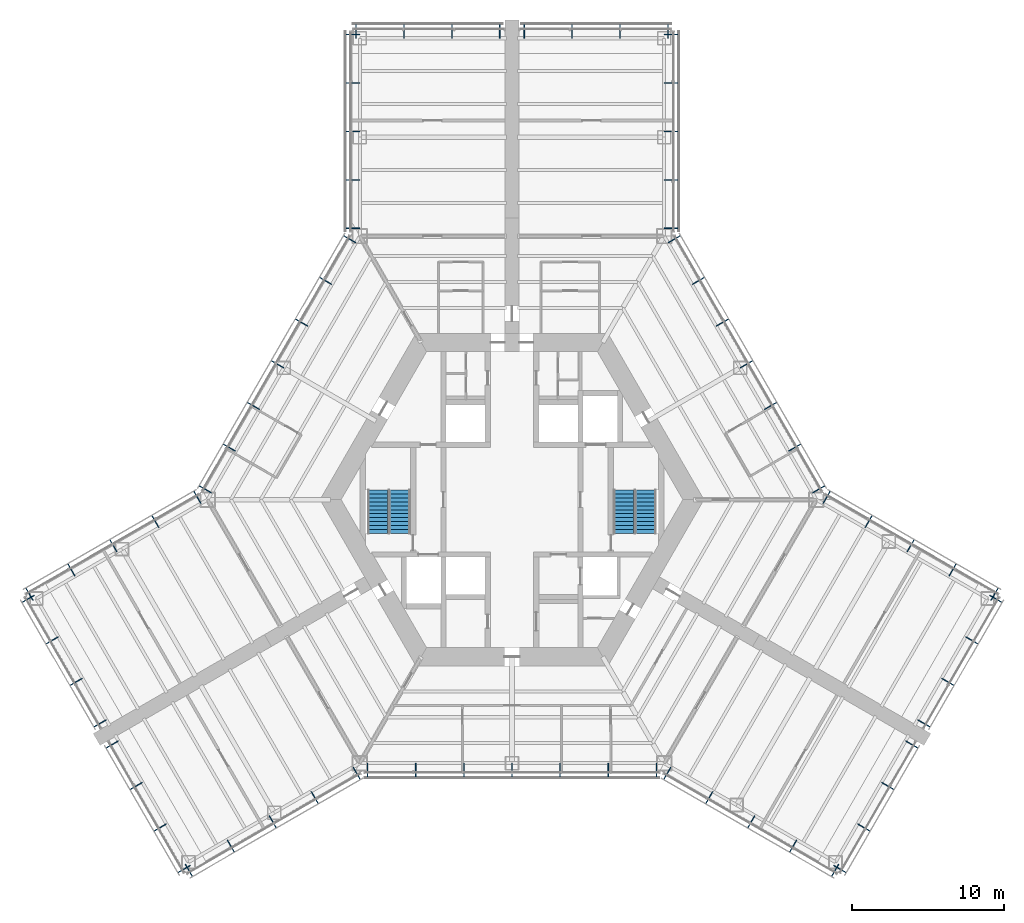
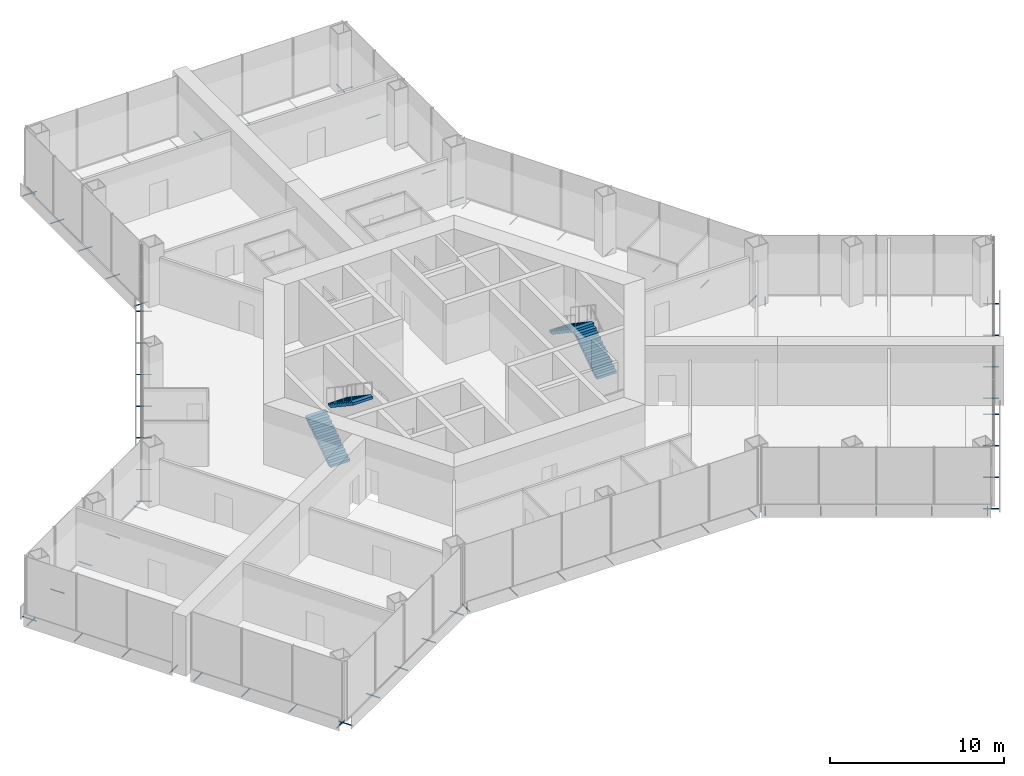
# One storey, part 14 of 16: 75 discrete accessories, 4 stair flights, 2 elements without a shape of their own.
"""IFC4 building model written with IfcOpenShell, lengths in metres."""

from ifc_helpers import new_model, si_unit, direction, frame, origin, origin_2d, place, context, subcontext, project, spatial, polyline, hollow_circle, outline, extrude, material, material_profile, profile_set, type_object, element, aggregate, save


model = new_model("IFC4")

# Units and contexts
model_context = context("Model", 3, precision=1e-05, world=origin(), true_north=direction((0.0, 1.0)))
body_context = subcontext(model_context, "Body", "Model", "MODEL_VIEW")
ifc_project = project(units=[si_unit("LENGTHUNIT", "METRE"), si_unit("AREAUNIT", "SQUARE_METRE"), si_unit("VOLUMEUNIT", "CUBIC_METRE"), si_unit("PLANEANGLEUNIT", "RADIAN"), si_unit("MASSUNIT", "GRAM", prefix="KILO")], contexts=[model_context])

# Site, building, storey
site_placement = place(None, origin())
site = spatial("IfcSite", under=ifc_project, at=site_placement, CompositionType="ELEMENT")
building_placement = place(site_placement, origin())
building = spatial("IfcBuilding", under=site, at=building_placement, Name="Kasaneha Research Tower", CompositionType="ELEMENT")
storey_placement = place(building_placement, frame((0.0, 0.0, 22.60009765625)))
storey = spatial("IfcBuildingStorey", under=building, at=storey_placement, Name="L06", CompositionType="ELEMENT", Elevation=22.60009765625)

# Stair, stair flights
ifc_material_1 = material(Name="Concrete Fc24", Category="concrete")
stair_type = type_object("IfcStairType", Name="Half-turn stair 24 risers", PredefinedType="HALF_TURN_STAIR", material=ifc_material_1)
stair_1_placement = place(storey_placement, origin())
stair_1 = element("IfcStair", 1, at=stair_1_placement, inside=storey, type_object=stair_type, Name="Stair 1 L06", PredefinedType="HALF_TURN_STAIR")
ifc_material_2 = material(Name="Concrete Fc24", Category="concrete")
stair_flight_type = type_object("IfcStairFlightType", Name="Stair flight 12 risers 175.0", PredefinedType="STRAIGHT", material=ifc_material_2)
stair_flight_1_placement = place(storey_placement, frame((8.824951171875, -2.22509765625, 0.0), z_axis=(0.0, 0.0, 1.0), x_axis=(0.0, 1.0, 0.0)))
stair_flight_1 = element("IfcStairFlight", 2, at=stair_flight_1_placement, type_object=stair_flight_type, Name="ST1-24R flight 1", NumberOfRisers=12, NumberOfTreads=11, PredefinedType="STRAIGHT", RiserHeight=0.175, TreadLength=0.26, context=body_context, shape_type="SweptSolid", body=[
    extrude(outline(polyline([(0.0, 0.0), (0.0, 0.175048828125), (0.260009765625, 0.175048828125), (0.260009765625, 0.35009765625), (0.52001953125, 0.35009765625), (0.52001953125, 0.52490234375), (0.780029296875, 0.52490234375), (0.780029296875, 0.699951171875), (1.0400390625, 0.699951171875), (1.0400390625, 0.875), (1.300048828125, 0.875), (1.300048828125, 1.050048828125), (1.56005859375, 1.050048828125), (1.56005859375, 1.22509765625), (1.820068359375, 1.22509765625), (1.820068359375, 1.39990234375), (2.080078125, 1.39990234375), (2.080078125, 1.574951171875), (2.340087890625, 1.574951171875), (2.340087890625, 1.75), (2.60009765625, 1.75), (2.60009765625, 1.925048828125), (2.860107421875, 1.925048828125), (2.860107421875, 2.10009765625), (2.860107421875, 1.744384765625), (0.2685546875, 0.0), (0.0, 0.0)])), frame((0.0, 0.64990234375, 0.0), z_axis=(0.0, -1.0, 0.0), x_axis=(1.0, 0.0, 0.0)), (0.0, 0.0, 1.0), 1.300048828125),
])
stair_flight_2_placement = place(storey_placement, frame((7.324951171875, 0.635009765625, 2.099853515625), z_axis=(0.0, 0.0, 1.0), x_axis=(0.0, -1.0, 0.0)))
stair_flight_2 = element("IfcStairFlight", 3, at=stair_flight_2_placement, type_object=stair_flight_type, Name="ST1-24R flight 2", NumberOfRisers=12, NumberOfTreads=11, PredefinedType="STRAIGHT", RiserHeight=0.175, TreadLength=0.26, context=body_context, shape_type="SweptSolid", body=[
    extrude(outline(polyline([(0.0, 0.0), (0.0, 0.175048828125), (0.260009765625, 0.175048828125), (0.260009765625, 0.35009765625), (0.52001953125, 0.35009765625), (0.52001953125, 0.52490234375), (0.780029296875, 0.52490234375), (0.780029296875, 0.699951171875), (1.0400390625, 0.699951171875), (1.0400390625, 0.875), (1.300048828125, 0.875), (1.300048828125, 1.050048828125), (1.56005859375, 1.050048828125), (1.56005859375, 1.22509765625), (1.820068359375, 1.22509765625), (1.820068359375, 1.39990234375), (2.080078125, 1.39990234375), (2.080078125, 1.574951171875), (2.340087890625, 1.574951171875), (2.340087890625, 1.75), (2.60009765625, 1.75), (2.60009765625, 1.925048828125), (2.860107421875, 1.925048828125), (2.860107421875, 2.10009765625), (2.860107421875, 1.744384765625), (0.2685546875, 0.0), (0.0, 0.0)])), frame((0.0, 0.64990234375, 0.0), z_axis=(0.0, -1.0, 0.0), x_axis=(1.0, 0.0, 0.0)), (0.0, 0.0, 1.0), 1.300048828125),
])
aggregate(stair_1, [stair_flight_1, stair_flight_2])

stair_2_placement = place(storey_placement, origin())
stair_2 = element("IfcStair", 4, at=stair_2_placement, inside=storey, type_object=stair_type, Name="Stair 2 L06", PredefinedType="HALF_TURN_STAIR")
stair_flight_3_placement = place(storey_placement, frame((-8.824951171875, -2.22509765625, 0.0), z_axis=(0.0, 0.0, 1.0), x_axis=(0.0, 1.0, 0.0)))
stair_flight_3 = element("IfcStairFlight", 5, at=stair_flight_3_placement, type_object=stair_flight_type, Name="ST2-24R flight 1", NumberOfRisers=12, NumberOfTreads=11, PredefinedType="STRAIGHT", RiserHeight=0.175, TreadLength=0.26, context=body_context, shape_type="SweptSolid", body=[
    extrude(outline(polyline([(0.0, 0.0), (0.0, 0.175048828125), (0.260009765625, 0.175048828125), (0.260009765625, 0.35009765625), (0.52001953125, 0.35009765625), (0.52001953125, 0.52490234375), (0.780029296875, 0.52490234375), (0.780029296875, 0.699951171875), (1.0400390625, 0.699951171875), (1.0400390625, 0.875), (1.300048828125, 0.875), (1.300048828125, 1.050048828125), (1.56005859375, 1.050048828125), (1.56005859375, 1.22509765625), (1.820068359375, 1.22509765625), (1.820068359375, 1.39990234375), (2.080078125, 1.39990234375), (2.080078125, 1.574951171875), (2.340087890625, 1.574951171875), (2.340087890625, 1.75), (2.60009765625, 1.75), (2.60009765625, 1.925048828125), (2.860107421875, 1.925048828125), (2.860107421875, 2.10009765625), (2.860107421875, 1.744384765625), (0.2685546875, 0.0), (0.0, 0.0)])), frame((0.0, 0.64990234375, 0.0), z_axis=(0.0, -1.0, 0.0), x_axis=(1.0, 0.0, 0.0)), (0.0, 0.0, 1.0), 1.300048828125),
])
stair_flight_4_placement = place(storey_placement, frame((-7.324951171875, 0.635009765625, 2.099853515625), z_axis=(0.0, 0.0, 1.0), x_axis=(0.0, -1.0, 0.0)))
stair_flight_4 = element("IfcStairFlight", 6, at=stair_flight_4_placement, type_object=stair_flight_type, Name="ST2-24R flight 2", NumberOfRisers=12, NumberOfTreads=11, PredefinedType="STRAIGHT", RiserHeight=0.175, TreadLength=0.26, context=body_context, shape_type="SweptSolid", body=[
    extrude(outline(polyline([(0.0, 0.0), (0.0, 0.175048828125), (0.260009765625, 0.175048828125), (0.260009765625, 0.35009765625), (0.52001953125, 0.35009765625), (0.52001953125, 0.52490234375), (0.780029296875, 0.52490234375), (0.780029296875, 0.699951171875), (1.0400390625, 0.699951171875), (1.0400390625, 0.875), (1.300048828125, 0.875), (1.300048828125, 1.050048828125), (1.56005859375, 1.050048828125), (1.56005859375, 1.22509765625), (1.820068359375, 1.22509765625), (1.820068359375, 1.39990234375), (2.080078125, 1.39990234375), (2.080078125, 1.574951171875), (2.340087890625, 1.574951171875), (2.340087890625, 1.75), (2.60009765625, 1.75), (2.60009765625, 1.925048828125), (2.860107421875, 1.925048828125), (2.860107421875, 2.10009765625), (2.860107421875, 1.744384765625), (0.2685546875, 0.0), (0.0, 0.0)])), frame((0.0, 0.64990234375, 0.0), z_axis=(0.0, -1.0, 0.0), x_axis=(1.0, 0.0, 0.0)), (0.0, 0.0, 1.0), 1.300048828125),
])
aggregate(stair_2, [stair_flight_3, stair_flight_4])

# Discrete accessories
ifc_material_3 = material(Name="Steel STK400", Category="steel")
ifc_material_profile = material_profile(ifc_material_3, hollow_circle(Radius=0.0380859375, WallThickness=0.00390625, at=origin_2d()), Name="CHS-76.3x4.0")
ifc_profile_set = profile_set([ifc_material_profile], Name="Steel STK400")
discrete_accessory_type = type_object("IfcDiscreteAccessoryType", Name="Screen bracket CHS-76.3x4.0", PredefinedType="BRACKET", material=ifc_profile_set)
discrete_accessory_1_placement = place(storey_placement, frame((-21.474853515625, -23.945556640625, -0.35009765625), z_axis=(0.500021113727, -0.866013213425, 0.0), x_axis=(0.866013213425, 0.500021113727, 0.0)))
element("IfcDiscreteAccessory", 7, at=discrete_accessory_1_placement, inside=storey, type_object=discrete_accessory_type, Name="Screen bracket 1", PredefinedType="BRACKET", context=body_context, shape_type="SweptSolid", body=[
    extrude(hollow_circle(Radius=0.0380859375, WallThickness=0.00390625, at=origin_2d()), origin(), (0.0, 0.0, 1.0), 0.919921875),
])
discrete_accessory_2_placement = place(storey_placement, frame((-18.716796875, -22.35302734375, -0.35009765625), z_axis=(0.500105201737, -0.865964657013, 0.0), x_axis=(0.865964657013, 0.500105201737, 0.0)))
element("IfcDiscreteAccessory", 8, at=discrete_accessory_2_placement, inside=storey, type_object=discrete_accessory_type, Name="Screen bracket 2", PredefinedType="BRACKET", context=body_context, shape_type="SweptSolid", body=[
    extrude(hollow_circle(Radius=0.0380859375, WallThickness=0.00390625, at=origin_2d()), origin(), (0.0, 0.0, 1.0), 0.920166015625),
])
discrete_accessory_3_placement = place(storey_placement, frame((-15.95849609375, -20.7607421875, -0.35009765625), z_axis=(0.500021113727, -0.866013213425, 0.0), x_axis=(0.866013213425, 0.500021113727, 0.0)))
element("IfcDiscreteAccessory", 9, at=discrete_accessory_3_placement, inside=storey, type_object=discrete_accessory_type, Name="Screen bracket 3", PredefinedType="BRACKET", context=body_context, shape_type="SweptSolid", body=[
    extrude(hollow_circle(Radius=0.0380859375, WallThickness=0.00390625, at=origin_2d()), origin(), (0.0, 0.0, 1.0), 0.919921875),
])
discrete_accessory_4_placement = place(storey_placement, frame((-13.200439453125, -19.168212890625, -0.35009765625), z_axis=(0.499906209203, -0.866079547155, 0.0), x_axis=(0.866079547155, 0.499906209203, 0.0)))
element("IfcDiscreteAccessory", 10, at=discrete_accessory_4_placement, inside=storey, type_object=discrete_accessory_type, Name="Screen bracket 4", PredefinedType="BRACKET", context=body_context, shape_type="SweptSolid", body=[
    extrude(hollow_circle(Radius=0.0380859375, WallThickness=0.00390625, at=origin_2d()), origin(), (0.0, 0.0, 1.0), 0.920166015625),
])
for number, where, z_axis, x_axis, name in (
    (11, (-10.4423828125, -17.575927734375, -0.35009765625), (0.500021113727, -0.866013213425, 0.0), (0.866013213425, 0.500021113727, 0.0), "Screen bracket 5"),
    (12, (-9.4892578125, -17.320556640625, -0.35009765625), (0.0, -1.0, 0.0), (1.0, 0.0, 0.0), "Screen bracket 1"),
    (13, (-6.326171875, -17.320556640625, -0.35009765625), (0.0, -1.0, 0.0), (1.0, 0.0, 0.0), "Screen bracket 2"),
    (14, (-3.1630859375, -17.320556640625, -0.35009765625), (0.0, -1.0, 0.0), (1.0, 0.0, 0.0), "Screen bracket 3"),
    (15, (0.0, -17.320556640625, -0.35009765625), (0.0, -1.0, 0.0), (1.0, 0.0, 0.0), "Screen bracket 4"),
    (16, (3.1630859375, -17.320556640625, -0.35009765625), (0.0, -1.0, 0.0), (1.0, 0.0, 0.0), "Screen bracket 5"),
    (17, (6.326171875, -17.320556640625, -0.35009765625), (0.0, -1.0, 0.0), (1.0, 0.0, 0.0), "Screen bracket 6"),
    (18, (9.4892578125, -17.320556640625, -0.35009765625), (0.0, -1.0, 0.0), (1.0, 0.0, 0.0), "Screen bracket 7"),
    (19, (10.4423828125, -17.575927734375, -0.35009765625), (-0.500021113727, -0.866013213425, 0.0), (0.866013213425, -0.500021113727, 0.0), "Screen bracket 1"),
):
    element("IfcDiscreteAccessory", number, at=place(storey_placement, frame(where, z_axis=z_axis, x_axis=x_axis)), inside=storey, type_object=discrete_accessory_type, Name=name, PredefinedType="BRACKET", context=body_context, shape_type="SweptSolid", body=[
        extrude(hollow_circle(Radius=0.0380859375, WallThickness=0.00390625, at=origin_2d()), origin(), (0.0, 0.0, 1.0), 0.919921875),
    ])
discrete_accessory_5_placement = place(storey_placement, frame((13.200439453125, -19.168212890625, -0.35009765625), z_axis=(-0.499906209203, -0.866079547155, 0.0), x_axis=(0.866079547155, -0.499906209203, 0.0)))
element("IfcDiscreteAccessory", 20, at=discrete_accessory_5_placement, inside=storey, type_object=discrete_accessory_type, Name="Screen bracket 2", PredefinedType="BRACKET", context=body_context, shape_type="SweptSolid", body=[
    extrude(hollow_circle(Radius=0.0380859375, WallThickness=0.00390625, at=origin_2d()), origin(), (0.0, 0.0, 1.0), 0.920166015625),
])
discrete_accessory_6_placement = place(storey_placement, frame((15.95849609375, -20.7607421875, -0.35009765625), z_axis=(-0.500021113727, -0.866013213425, 0.0), x_axis=(0.866013213425, -0.500021113727, 0.0)))
element("IfcDiscreteAccessory", 21, at=discrete_accessory_6_placement, inside=storey, type_object=discrete_accessory_type, Name="Screen bracket 3", PredefinedType="BRACKET", context=body_context, shape_type="SweptSolid", body=[
    extrude(hollow_circle(Radius=0.0380859375, WallThickness=0.00390625, at=origin_2d()), origin(), (0.0, 0.0, 1.0), 0.919921875),
])
discrete_accessory_7_placement = place(storey_placement, frame((18.716796875, -22.35302734375, -0.35009765625), z_axis=(-0.500105201737, -0.865964657013, 0.0), x_axis=(0.865964657013, -0.500105201737, 0.0)))
element("IfcDiscreteAccessory", 22, at=discrete_accessory_7_placement, inside=storey, type_object=discrete_accessory_type, Name="Screen bracket 4", PredefinedType="BRACKET", context=body_context, shape_type="SweptSolid", body=[
    extrude(hollow_circle(Radius=0.0380859375, WallThickness=0.00390625, at=origin_2d()), origin(), (0.0, 0.0, 1.0), 0.920166015625),
])
discrete_accessory_8_placement = place(storey_placement, frame((21.474853515625, -23.945556640625, -0.35009765625), z_axis=(-0.500021113727, -0.866013213425, 0.0), x_axis=(0.866013213425, -0.500021113727, 0.0)))
element("IfcDiscreteAccessory", 23, at=discrete_accessory_8_placement, inside=storey, type_object=discrete_accessory_type, Name="Screen bracket 5", PredefinedType="BRACKET", context=body_context, shape_type="SweptSolid", body=[
    extrude(hollow_circle(Radius=0.0380859375, WallThickness=0.00390625, at=origin_2d()), origin(), (0.0, 0.0, 1.0), 0.919921875),
])
for number, where, z_axis, x_axis, name in (
    (24, (21.13330078125, -24.037109375, -0.35009765625), (0.866079547155, -0.499906209203, 0.0), (0.499906209203, 0.866079547155, 0.0), "Screen bracket 1"),
    (25, (22.708251953125, -21.30908203125, -0.35009765625), (0.866079547155, -0.499906209203, 0.0), (0.499906209203, 0.866079547155, 0.0), "Screen bracket 2"),
):
    element("IfcDiscreteAccessory", number, at=place(storey_placement, frame(where, z_axis=z_axis, x_axis=x_axis)), inside=storey, type_object=discrete_accessory_type, Name=name, PredefinedType="BRACKET", context=body_context, shape_type="SweptSolid", body=[
        extrude(hollow_circle(Radius=0.0380859375, WallThickness=0.00390625, at=origin_2d()), origin(), (0.0, 0.0, 1.0), 0.920166015625),
    ])
for number, where, z_axis, x_axis, name in (
    (26, (24.283447265625, -18.5810546875, -0.35009765625), (0.866013213425, -0.500021113727, 0.0), (0.500021113727, 0.866013213425, 0.0), "Screen bracket 3"),
    (27, (25.8583984375, -15.85302734375, -0.35009765625), (0.866013213425, -0.500021113727, 0.0), (0.500021113727, 0.866013213425, 0.0), "Screen bracket 4"),
    (28, (26.658447265625, -14.467529296875, -0.35009765625), (0.866013213425, -0.500021113727, 0.0), (0.500021113727, 0.866013213425, 0.0), "Screen bracket 1"),
    (29, (28.2333984375, -11.739501953125, -0.35009765625), (0.866013213425, -0.500021113727, 0.0), (0.500021113727, 0.866013213425, 0.0), "Screen bracket 2"),
    (30, (29.808349609375, -9.011474609375, -0.35009765625), (0.866013213425, -0.500021113727, 0.0), (0.500021113727, 0.866013213425, 0.0), "Screen bracket 3"),
):
    element("IfcDiscreteAccessory", number, at=place(storey_placement, frame(where, z_axis=z_axis, x_axis=x_axis)), inside=storey, type_object=discrete_accessory_type, Name=name, PredefinedType="BRACKET", context=body_context, shape_type="SweptSolid", body=[
        extrude(hollow_circle(Radius=0.0380859375, WallThickness=0.00390625, at=origin_2d()), origin(), (0.0, 0.0, 1.0), 0.919921875),
    ])
discrete_accessory_9_placement = place(storey_placement, frame((31.38330078125, -6.283447265625, -0.35009765625), z_axis=(0.866079547155, -0.499906209203, 0.0), x_axis=(0.499906209203, 0.866079547155, 0.0)))
element("IfcDiscreteAccessory", 31, at=discrete_accessory_9_placement, inside=storey, type_object=discrete_accessory_type, Name="Screen bracket 4", PredefinedType="BRACKET", context=body_context, shape_type="SweptSolid", body=[
    extrude(hollow_circle(Radius=0.0380859375, WallThickness=0.00390625, at=origin_2d()), origin(), (0.0, 0.0, 1.0), 0.920166015625),
])
discrete_accessory_10_placement = place(storey_placement, frame((31.474853515625, -6.625, -0.35009765625), z_axis=(0.500021113727, 0.866013213425, 0.0), x_axis=(-0.866013213425, 0.500021113727, 0.0)))
element("IfcDiscreteAccessory", 32, at=discrete_accessory_10_placement, inside=storey, type_object=discrete_accessory_type, Name="Screen bracket 1", PredefinedType="BRACKET", context=body_context, shape_type="SweptSolid", body=[
    extrude(hollow_circle(Radius=0.0380859375, WallThickness=0.00390625, at=origin_2d()), origin(), (0.0, 0.0, 1.0), 0.919921875),
])
discrete_accessory_11_placement = place(storey_placement, frame((28.716796875, -5.03271484375, -0.35009765625), z_axis=(0.499906209203, 0.866079547155, 0.0), x_axis=(-0.866079547155, 0.499906209203, 0.0)))
element("IfcDiscreteAccessory", 33, at=discrete_accessory_11_placement, inside=storey, type_object=discrete_accessory_type, Name="Screen bracket 2", PredefinedType="BRACKET", context=body_context, shape_type="SweptSolid", body=[
    extrude(hollow_circle(Radius=0.0380859375, WallThickness=0.00390625, at=origin_2d()), origin(), (0.0, 0.0, 1.0), 0.920166015625),
])
discrete_accessory_12_placement = place(storey_placement, frame((25.95849609375, -3.440185546875, -0.35009765625), z_axis=(0.500220121494, 0.865898279276, 0.0), x_axis=(-0.865898279276, 0.500220121494, 0.0)))
element("IfcDiscreteAccessory", 34, at=discrete_accessory_12_placement, inside=storey, type_object=discrete_accessory_type, Name="Screen bracket 3", PredefinedType="BRACKET", context=body_context, shape_type="SweptSolid", body=[
    extrude(hollow_circle(Radius=0.0380859375, WallThickness=0.00390625, at=origin_2d()), origin(), (0.0, 0.0, 1.0), 0.919921875),
])
discrete_accessory_13_placement = place(storey_placement, frame((23.200439453125, -1.847900390625, -0.35009765625), z_axis=(0.499906209203, 0.866079547155, 0.0), x_axis=(-0.866079547155, 0.499906209203, 0.0)))
element("IfcDiscreteAccessory", 35, at=discrete_accessory_13_placement, inside=storey, type_object=discrete_accessory_type, Name="Screen bracket 4", PredefinedType="BRACKET", context=body_context, shape_type="SweptSolid", body=[
    extrude(hollow_circle(Radius=0.0380859375, WallThickness=0.00390625, at=origin_2d()), origin(), (0.0, 0.0, 1.0), 0.920166015625),
])
for number, where, z_axis, x_axis, name in (
    (36, (20.4423828125, -0.25537109375, -0.35009765625), (0.500021113727, 0.866013213425, 0.0), (-0.866013213425, 0.500021113727, 0.0), "Screen bracket 5"),
    (37, (19.74462890625, 0.4423828125, -0.35009765625), (0.866013213425, 0.500021113727, 0.0), (-0.500021113727, 0.866013213425, 0.0), "Screen bracket 1"),
    (38, (18.1630859375, 3.181640625, -0.35009765625), (0.866013213425, 0.500021113727, 0.0), (-0.500021113727, 0.866013213425, 0.0), "Screen bracket 2"),
    (39, (16.58154296875, 5.9208984375, -0.35009765625), (0.866013213425, 0.500021113727, 0.0), (-0.500021113727, 0.866013213425, 0.0), "Screen bracket 3"),
    (40, (15.0, 8.66015625, -0.35009765625), (0.865898279276, 0.500220121494, 0.0), (-0.500220121494, 0.865898279276, 0.0), "Screen bracket 4"),
    (41, (13.41845703125, 11.399658203125, -0.35009765625), (0.866013213425, 0.500021113727, 0.0), (-0.500021113727, 0.866013213425, 0.0), "Screen bracket 5"),
    (42, (11.8369140625, 14.138916015625, -0.35009765625), (0.866013213425, 0.500021113727, 0.0), (-0.500021113727, 0.866013213425, 0.0), "Screen bracket 6"),
):
    element("IfcDiscreteAccessory", number, at=place(storey_placement, frame(where, z_axis=z_axis, x_axis=x_axis)), inside=storey, type_object=discrete_accessory_type, Name=name, PredefinedType="BRACKET", context=body_context, shape_type="SweptSolid", body=[
        extrude(hollow_circle(Radius=0.0380859375, WallThickness=0.00390625, at=origin_2d()), origin(), (0.0, 0.0, 1.0), 0.919921875),
    ])
discrete_accessory_14_placement = place(storey_placement, frame((10.25537109375, 16.878173828125, -0.35009765625), z_axis=(0.866079547155, 0.499906209203, 0.0), x_axis=(-0.499906209203, 0.866079547155, 0.0)))
element("IfcDiscreteAccessory", 43, at=discrete_accessory_14_placement, inside=storey, type_object=discrete_accessory_type, Name="Screen bracket 7", PredefinedType="BRACKET", context=body_context, shape_type="SweptSolid", body=[
    extrude(hollow_circle(Radius=0.0380859375, WallThickness=0.00390625, at=origin_2d()), origin(), (0.0, 0.0, 1.0), 0.920166015625),
])
for number, where, z_axis, x_axis, name in (
    (44, (10.0, 17.831298828125, -0.35009765625), (1.0, 0.0, 0.0), (0.0, 1.0, 0.0), "Screen bracket 1"),
    (45, (10.0, 21.01611328125, -0.35009765625), (1.0, 0.0, 0.0), (0.0, 1.0, 0.0), "Screen bracket 2"),
    (46, (10.0, 24.200927734375, -0.35009765625), (1.0, 0.0, 0.0), (0.0, 1.0, 0.0), "Screen bracket 3"),
    (47, (10.0, 27.3857421875, -0.35009765625), (1.0, 0.0, 0.0), (0.0, 1.0, 0.0), "Screen bracket 4"),
    (48, (10.0, 30.570556640625, -0.35009765625), (1.0, 0.0, 0.0), (0.0, 1.0, 0.0), "Screen bracket 5"),
    (49, (10.25, 30.320556640625, -0.35009765625), (0.0, 1.0, 0.0), (-1.0, 0.0, 0.0), "Screen bracket 1"),
    (50, (7.10009765625, 30.320556640625, -0.35009765625), (0.0, 1.0, 0.0), (-1.0, 0.0, 0.0), "Screen bracket 2"),
    (51, (3.949951171875, 30.320556640625, -0.35009765625), (0.0, 1.0, 0.0), (-1.0, 0.0, 0.0), "Screen bracket 3"),
    (52, (0.800048828125, 30.320556640625, -0.35009765625), (0.0, 1.0, 0.0), (-1.0, 0.0, 0.0), "Screen bracket 4"),
    (53, (-0.800048828125, 30.320556640625, -0.35009765625), (0.0, 1.0, 0.0), (-1.0, 0.0, 0.0), "Screen bracket 1"),
    (54, (-3.949951171875, 30.320556640625, -0.35009765625), (0.0, 1.0, 0.0), (-1.0, 0.0, 0.0), "Screen bracket 2"),
    (55, (-7.10009765625, 30.320556640625, -0.35009765625), (0.0, 1.0, 0.0), (-1.0, 0.0, 0.0), "Screen bracket 3"),
    (56, (-10.25, 30.320556640625, -0.35009765625), (0.0, 1.0, 0.0), (-1.0, 0.0, 0.0), "Screen bracket 4"),
    (57, (-10.0, 30.570556640625, -0.35009765625), (-1.0, 0.0, 0.0), (0.0, -1.0, 0.0), "Screen bracket 1"),
    (58, (-10.0, 27.3857421875, -0.35009765625), (-1.0, 0.0, 0.0), (0.0, -1.0, 0.0), "Screen bracket 2"),
    (59, (-10.0, 24.200927734375, -0.35009765625), (-1.0, 0.0, 0.0), (0.0, -1.0, 0.0), "Screen bracket 3"),
    (60, (-10.0, 21.01611328125, -0.35009765625), (-1.0, 0.0, 0.0), (0.0, -1.0, 0.0), "Screen bracket 4"),
    (61, (-10.0, 17.831298828125, -0.35009765625), (-1.0, 0.0, 0.0), (0.0, -1.0, 0.0), "Screen bracket 5"),
):
    element("IfcDiscreteAccessory", number, at=place(storey_placement, frame(where, z_axis=z_axis, x_axis=x_axis)), inside=storey, type_object=discrete_accessory_type, Name=name, PredefinedType="BRACKET", context=body_context, shape_type="SweptSolid", body=[
        extrude(hollow_circle(Radius=0.0380859375, WallThickness=0.00390625, at=origin_2d()), origin(), (0.0, 0.0, 1.0), 0.919921875),
    ])
discrete_accessory_15_placement = place(storey_placement, frame((-10.25537109375, 16.878173828125, -0.35009765625), z_axis=(-0.866079547155, 0.499906209203, 0.0), x_axis=(-0.499906209203, -0.866079547155, 0.0)))
element("IfcDiscreteAccessory", 62, at=discrete_accessory_15_placement, inside=storey, type_object=discrete_accessory_type, Name="Screen bracket 1", PredefinedType="BRACKET", context=body_context, shape_type="SweptSolid", body=[
    extrude(hollow_circle(Radius=0.0380859375, WallThickness=0.00390625, at=origin_2d()), origin(), (0.0, 0.0, 1.0), 0.920166015625),
])
for number, where, z_axis, x_axis, name in (
    (63, (-11.8369140625, 14.138916015625, -0.35009765625), (-0.866013213425, 0.500021113727, 0.0), (-0.500021113727, -0.866013213425, 0.0), "Screen bracket 2"),
    (64, (-13.41845703125, 11.399658203125, -0.35009765625), (-0.866013213425, 0.500021113727, 0.0), (-0.500021113727, -0.866013213425, 0.0), "Screen bracket 3"),
    (65, (-15.0, 8.66015625, -0.35009765625), (-0.865898279276, 0.500220121494, 0.0), (-0.500220121494, -0.865898279276, 0.0), "Screen bracket 4"),
    (66, (-16.58154296875, 5.9208984375, -0.35009765625), (-0.866013213425, 0.500021113727, 0.0), (-0.500021113727, -0.866013213425, 0.0), "Screen bracket 5"),
    (67, (-18.1630859375, 3.181640625, -0.35009765625), (-0.866013213425, 0.500021113727, 0.0), (-0.500021113727, -0.866013213425, 0.0), "Screen bracket 6"),
    (68, (-19.74462890625, 0.4423828125, -0.35009765625), (-0.866013213425, 0.500021113727, 0.0), (-0.500021113727, -0.866013213425, 0.0), "Screen bracket 7"),
    (69, (-20.4423828125, -0.25537109375, -0.35009765625), (-0.500021113727, 0.866013213425, 0.0), (-0.866013213425, -0.500021113727, 0.0), "Screen bracket 1"),
):
    element("IfcDiscreteAccessory", number, at=place(storey_placement, frame(where, z_axis=z_axis, x_axis=x_axis)), inside=storey, type_object=discrete_accessory_type, Name=name, PredefinedType="BRACKET", context=body_context, shape_type="SweptSolid", body=[
        extrude(hollow_circle(Radius=0.0380859375, WallThickness=0.00390625, at=origin_2d()), origin(), (0.0, 0.0, 1.0), 0.919921875),
    ])
discrete_accessory_16_placement = place(storey_placement, frame((-23.200439453125, -1.847900390625, -0.35009765625), z_axis=(-0.499906209203, 0.866079547155, 0.0), x_axis=(-0.866079547155, -0.499906209203, 0.0)))
element("IfcDiscreteAccessory", 70, at=discrete_accessory_16_placement, inside=storey, type_object=discrete_accessory_type, Name="Screen bracket 2", PredefinedType="BRACKET", context=body_context, shape_type="SweptSolid", body=[
    extrude(hollow_circle(Radius=0.0380859375, WallThickness=0.00390625, at=origin_2d()), origin(), (0.0, 0.0, 1.0), 0.920166015625),
])
discrete_accessory_17_placement = place(storey_placement, frame((-25.95849609375, -3.440185546875, -0.35009765625), z_axis=(-0.500220121494, 0.865898279276, 0.0), x_axis=(-0.865898279276, -0.500220121494, 0.0)))
element("IfcDiscreteAccessory", 71, at=discrete_accessory_17_placement, inside=storey, type_object=discrete_accessory_type, Name="Screen bracket 3", PredefinedType="BRACKET", context=body_context, shape_type="SweptSolid", body=[
    extrude(hollow_circle(Radius=0.0380859375, WallThickness=0.00390625, at=origin_2d()), origin(), (0.0, 0.0, 1.0), 0.919921875),
])
discrete_accessory_18_placement = place(storey_placement, frame((-28.716796875, -5.03271484375, -0.35009765625), z_axis=(-0.499906209203, 0.866079547155, 0.0), x_axis=(-0.866079547155, -0.499906209203, 0.0)))
element("IfcDiscreteAccessory", 72, at=discrete_accessory_18_placement, inside=storey, type_object=discrete_accessory_type, Name="Screen bracket 4", PredefinedType="BRACKET", context=body_context, shape_type="SweptSolid", body=[
    extrude(hollow_circle(Radius=0.0380859375, WallThickness=0.00390625, at=origin_2d()), origin(), (0.0, 0.0, 1.0), 0.920166015625),
])
discrete_accessory_19_placement = place(storey_placement, frame((-31.474853515625, -6.625, -0.35009765625), z_axis=(-0.500021113727, 0.866013213425, 0.0), x_axis=(-0.866013213425, -0.500021113727, 0.0)))
element("IfcDiscreteAccessory", 73, at=discrete_accessory_19_placement, inside=storey, type_object=discrete_accessory_type, Name="Screen bracket 5", PredefinedType="BRACKET", context=body_context, shape_type="SweptSolid", body=[
    extrude(hollow_circle(Radius=0.0380859375, WallThickness=0.00390625, at=origin_2d()), origin(), (0.0, 0.0, 1.0), 0.919921875),
])
discrete_accessory_20_placement = place(storey_placement, frame((-31.38330078125, -6.283447265625, -0.35009765625), z_axis=(-0.866079547155, -0.499906209203, 0.0), x_axis=(0.499906209203, -0.866079547155, 0.0)))
element("IfcDiscreteAccessory", 74, at=discrete_accessory_20_placement, inside=storey, type_object=discrete_accessory_type, Name="Screen bracket 1", PredefinedType="BRACKET", context=body_context, shape_type="SweptSolid", body=[
    extrude(hollow_circle(Radius=0.0380859375, WallThickness=0.00390625, at=origin_2d()), origin(), (0.0, 0.0, 1.0), 0.920166015625),
])
for number, where, z_axis, x_axis, name in (
    (75, (-29.808349609375, -9.011474609375, -0.35009765625), (-0.866013213425, -0.500021113727, 0.0), (0.500021113727, -0.866013213425, 0.0), "Screen bracket 2"),
    (76, (-28.2333984375, -11.739501953125, -0.35009765625), (-0.866013213425, -0.500021113727, 0.0), (0.500021113727, -0.866013213425, 0.0), "Screen bracket 3"),
    (77, (-26.658447265625, -14.467529296875, -0.35009765625), (-0.866013213425, -0.500021113727, 0.0), (0.500021113727, -0.866013213425, 0.0), "Screen bracket 4"),
    (78, (-25.8583984375, -15.85302734375, -0.35009765625), (-0.866013213425, -0.500021113727, 0.0), (0.500021113727, -0.866013213425, 0.0), "Screen bracket 1"),
    (79, (-24.283447265625, -18.5810546875, -0.35009765625), (-0.866013213425, -0.500021113727, 0.0), (0.500021113727, -0.866013213425, 0.0), "Screen bracket 2"),
):
    element("IfcDiscreteAccessory", number, at=place(storey_placement, frame(where, z_axis=z_axis, x_axis=x_axis)), inside=storey, type_object=discrete_accessory_type, Name=name, PredefinedType="BRACKET", context=body_context, shape_type="SweptSolid", body=[
        extrude(hollow_circle(Radius=0.0380859375, WallThickness=0.00390625, at=origin_2d()), origin(), (0.0, 0.0, 1.0), 0.919921875),
    ])
for number, where, z_axis, x_axis, name in (
    (80, (-22.708251953125, -21.30908203125, -0.35009765625), (-0.866079547155, -0.499906209203, 0.0), (0.499906209203, -0.866079547155, 0.0), "Screen bracket 3"),
    (81, (-21.13330078125, -24.037109375, -0.35009765625), (-0.866079547155, -0.499906209203, 0.0), (0.499906209203, -0.866079547155, 0.0), "Screen bracket 4"),
):
    element("IfcDiscreteAccessory", number, at=place(storey_placement, frame(where, z_axis=z_axis, x_axis=x_axis)), inside=storey, type_object=discrete_accessory_type, Name=name, PredefinedType="BRACKET", context=body_context, shape_type="SweptSolid", body=[
        extrude(hollow_circle(Radius=0.0380859375, WallThickness=0.00390625, at=origin_2d()), origin(), (0.0, 0.0, 1.0), 0.920166015625),
    ])

save(model, "model.ifc")
